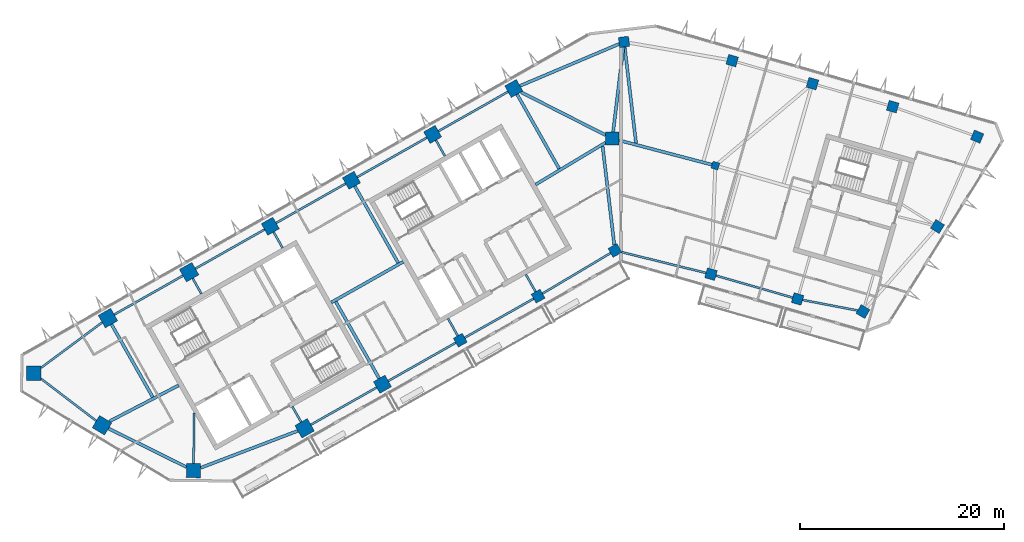
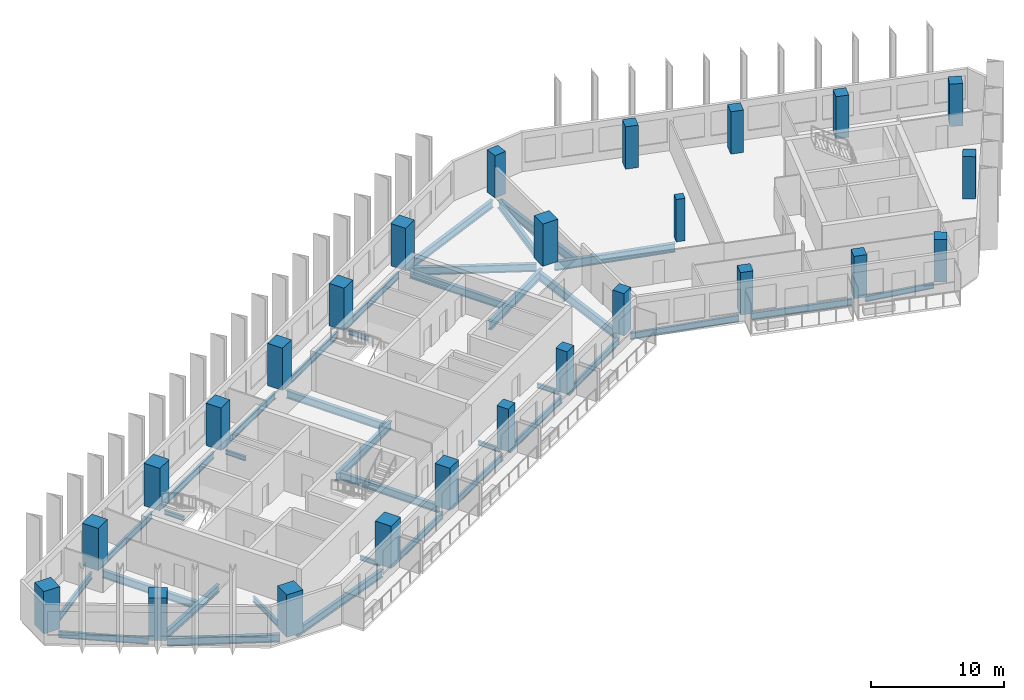
# One storey, part 1 of 12: 36 beams, 25 columns.
"""IFC4 building model written with IfcOpenShell, lengths in metres."""

import ifcopenshell
import ifcopenshell.guid

model = None  # the IFC model being written
_history = None  # IfcOwnerHistory: only IFC2X3 demands one
_inside = {}  # id of a spatial element -> (the spatial element, [elements in it])
_under = {}  # id of a project, library or spatial element -> (it, [spatial elements below it])
_declared = {}  # id of a project -> (the project, [libraries it declares])
_typed = {}  # id of a type object -> (the type object, [elements of that type])
_made_of = {}  # id of a material, layer set ... -> (it, [elements and type objects made of it])


def new_model(schema):
    """Start an empty IFC model of exactly this schema.

    Asked for "IFC4X3", IfcOpenShell would pick the latest addendum, in which some entities
    have other attributes; the version numbers below select the first issue.
    IFC2X3 requires an IfcOwnerHistory on every rooted entity: one is made here for all.
    """
    global model, _history
    if schema == "IFC4X3":
        model = ifcopenshell.file(schema_version=(4, 3, 0, 0))
    else:
        model = ifcopenshell.file(schema=schema)
    _inside.clear()
    _under.clear()
    _declared.clear()
    _typed.clear()
    _made_of.clear()
    _history = None
    if model.schema == "IFC2X3":
        org = make("IfcOrganization", Name="unknown")
        user = make(
            "IfcPersonAndOrganization",
            ThePerson=make("IfcPerson", FamilyName="unknown"),
            TheOrganization=org,
        )
        app = make(
            "IfcApplication",
            ApplicationDeveloper=org,
            Version="unknown",
            ApplicationFullName="unknown",
            ApplicationIdentifier="unknown",
        )
        _history = make(
            "IfcOwnerHistory",
            OwningUser=user,
            OwningApplication=app,
            ChangeAction="ADDED",
            CreationDate=0,
        )
    return model


def make(cls, **values):
    """One entity of the class cls with the attributes given. An attribute that is None is left unset."""
    return model.create_entity(
        cls, **{name: value for name, value in values.items() if value is not None}
    )


def rooted(cls, **values):
    """An entity with a GlobalId (a new one), such as an element, a storey or a relation."""
    return make(cls, GlobalId=ifcopenshell.guid.new(), OwnerHistory=_history, **values)


def si_unit(unit_type, name, prefix=None):
    """IfcSIUnit, for example si_unit("LENGTHUNIT", "METRE", prefix="MILLI")."""
    return make("IfcSIUnit", UnitType=unit_type, Prefix=prefix, Name=name)


def assignment(units):
    """IfcUnitAssignment: the units of a project."""
    return None if units is None else make("IfcUnitAssignment", Units=units)


def point(xyz):
    """IfcCartesianPoint."""
    return None if xyz is None else make("IfcCartesianPoint", Coordinates=xyz)


def direction(xyz):
    """IfcDirection."""
    return None if xyz is None else make("IfcDirection", DirectionRatios=xyz)


def frame(location, z_axis=None, x_axis=None):
    """IfcAxis2Placement3D, a coordinate frame: its origin and axes. An axis left out is left unset."""
    return make(
        "IfcAxis2Placement3D",
        Location=point(location),
        Axis=direction(z_axis),
        RefDirection=direction(x_axis),
    )


def frame_2d(location, x_axis=None):
    """IfcAxis2Placement2D, a coordinate frame in the plane: its origin and x axis."""
    return make(
        "IfcAxis2Placement2D", Location=point(location), RefDirection=direction(x_axis)
    )


def origin():
    """The frame at (0, 0, 0) with its axes left unset."""
    return frame((0.0, 0.0, 0.0))


def origin_2d():
    """The frame at (0, 0) in the plane with its x axis left unset."""
    return frame_2d((0.0, 0.0))


def place(relative_to, where):
    """IfcLocalPlacement: puts the frame where relative to a parent placement (None: the world)."""
    return make(
        "IfcLocalPlacement", PlacementRelTo=relative_to, RelativePlacement=where
    )


def context(
    kind, dimensions, precision=None, world=None, true_north=None, identifier=None
):
    """IfcGeometricRepresentationContext, for example the 3D "Model" context."""
    return make(
        "IfcGeometricRepresentationContext",
        ContextIdentifier=identifier,
        ContextType=kind,
        CoordinateSpaceDimension=dimensions,
        Precision=precision,
        WorldCoordinateSystem=world,
        TrueNorth=true_north,
    )


def subcontext(parent, identifier, kind, view, scale=None):
    """IfcGeometricRepresentationSubContext, for example "Body" below "Model"."""
    return make(
        "IfcGeometricRepresentationSubContext",
        ContextIdentifier=identifier,
        ContextType=kind,
        ParentContext=parent,
        TargetScale=scale,
        TargetView=view,
    )


def project(units=None, contexts=None):
    """IfcProject with its units and contexts."""
    return rooted(
        "IfcProject",
        Name="project",
        RepresentationContexts=contexts,
        UnitsInContext=assignment(units),
    )


def spatial(cls, under=None, at=None, **own):
    """A site, building, storey or space (cls), placed at a placement, below another one or the project."""
    s = rooted(cls, ObjectPlacement=at, **own)
    if under is not None:
        _under.setdefault(under.id(), (under, []))[1].append(s)
    return s


def profile(cls, at=None, kind="AREA", **sizes):
    """A parametric profile (cls). Its sizes go by their IFC names, for example OverallWidth=200.0."""
    return make(cls, ProfileType=kind, Position=at, **sizes)


def rectangle(**sizes):
    """IfcRectangleProfileDef."""
    return profile("IfcRectangleProfileDef", **sizes)


def i_section(**sizes):
    """IfcIShapeProfileDef."""
    return profile("IfcIShapeProfileDef", **sizes)


def extrude(swept, where, along, depth):
    """IfcExtrudedAreaSolid: the profile swept, set in the frame where, extruded along a direction by depth."""
    return make(
        "IfcExtrudedAreaSolid",
        SweptArea=swept,
        Position=where,
        ExtrudedDirection=direction(along),
        Depth=depth,
    )


def shape(context_of_items, identifier, shape_type, items):
    """IfcShapeRepresentation: the items that make up one representation, for example the "Body"."""
    return make(
        "IfcShapeRepresentation",
        ContextOfItems=context_of_items,
        RepresentationIdentifier=identifier,
        RepresentationType=shape_type,
        Items=items,
    )


def material(Name=None, Category=None):
    """IfcMaterial."""
    return make("IfcMaterial", Name=Name, Category=Category)


def material_profile(
    of_material, cross_section, Name=None, Category=None, Priority=None
):
    """IfcMaterialProfile: a cross section and its material."""
    return make(
        "IfcMaterialProfile",
        Name=Name,
        Material=of_material,
        Profile=cross_section,
        Priority=Priority,
        Category=Category,
    )


def profile_set(profiles, Name=None, composite=None):
    """IfcMaterialProfileSet."""
    return make(
        "IfcMaterialProfileSet",
        Name=Name,
        MaterialProfiles=profiles,
        CompositeProfile=composite,
    )


def made_of(thing, what):
    """Note that an element or type object is made of a material, layer set ...; save() writes the relation."""
    if what is not None:
        _made_of.setdefault(what.id(), (what, []))[1].append(thing)
    return thing


def type_object(cls, material=None, **own):
    """A type object (cls), such as IfcWallType, which elements share."""
    return made_of(rooted(cls, **own), material)


def element(
    cls,
    number,
    at=None,
    inside=None,
    cuts=None,
    type_object=None,
    material=None,
    context=None,
    identifier="Body",
    shape_type=None,
    held_by="IfcProductDefinitionShape",
    body=None,
    shapes=None,
    **own,
):
    """One element of the class cls, such as IfcWall. Its Tag is "e" and its number.

    at: its placement. inside: the storey or other place that contains it. cuts: it is an
    opening in that element (IfcRelVoidsElement). A single representation is given by context,
    identifier, shape_type and body (its items); several are given by shapes. held_by: the class
    of the entity that holds the representations. save() writes the other relations.
    """
    e = rooted(cls, Tag="e%d" % number, ObjectPlacement=at, **own)
    if body is not None:
        shapes = [shape(context, identifier, shape_type, body)]
    if shapes is not None:
        e.Representation = make(held_by, Representations=shapes)
    if inside is not None:
        _inside.setdefault(inside.id(), (inside, []))[1].append(e)
    if cuts is not None:
        rooted(
            "IfcRelVoidsElement", RelatingBuildingElement=cuts, RelatedOpeningElement=e
        )
    if type_object is not None:
        _typed.setdefault(type_object.id(), (type_object, []))[1].append(e)
    return made_of(e, material)


def aggregate(whole, parts):
    """IfcRelAggregates: a whole, such as a stair, and the parts it consists of."""
    return rooted("IfcRelAggregates", RelatingObject=whole, RelatedObjects=parts)


def save(model, path):
    """Write the relations noted so far, then the file.

    IfcRelAggregates (storeys below a building ...), IfcRelContainedInSpatialStructure (elements
    in a storey), IfcRelDefinesByType, IfcRelAssociatesMaterial and IfcRelDeclares: one each for
    every whole, place, type object, material and project.
    """
    for whole, parts in _under.values():
        aggregate(whole, parts)
    for where, things in _inside.values():
        rooted(
            "IfcRelContainedInSpatialStructure",
            RelatedElements=things,
            RelatingStructure=where,
        )
    for kind, things in _typed.values():
        rooted("IfcRelDefinesByType", RelatedObjects=things, RelatingType=kind)
    for what, things in _made_of.values():
        rooted("IfcRelAssociatesMaterial", RelatedObjects=things, RelatingMaterial=what)
    for by, libraries in _declared.values():
        rooted("IfcRelDeclares", RelatingContext=by, RelatedDefinitions=libraries)
    model.write(path)


model = new_model("IFC4")

# Units and contexts
model_context = context("Model", 3, precision=1e-05, world=origin(), true_north=direction((0.0, 1.0)))
body_context = subcontext(model_context, "Body", "Model", "MODEL_VIEW")
ifc_project = project(units=[si_unit("LENGTHUNIT", "METRE"), si_unit("AREAUNIT", "SQUARE_METRE"), si_unit("VOLUMEUNIT", "CUBIC_METRE"), si_unit("PLANEANGLEUNIT", "RADIAN"), si_unit("MASSUNIT", "GRAM", prefix="KILO")], contexts=[model_context])

# Site, building, storey
site_placement = place(None, origin())
site = spatial("IfcSite", under=ifc_project, at=site_placement, CompositionType="ELEMENT")
building_placement = place(site_placement, origin())
building = spatial("IfcBuilding", under=site, at=building_placement, Name="Binnacle Exchange Tower", CompositionType="ELEMENT")
storey_placement = place(building_placement, frame((0.0, 0.0, 246.5)))
storey = spatial("IfcBuildingStorey", under=building, at=storey_placement, Name="L54", CompositionType="ELEMENT", Elevation=246.5)

# Columns
ifc_material_1 = material(Name="Concrete C60/75", Category="concrete")
ifc_material_profile_1 = material_profile(ifc_material_1, rectangle(XDim=0.699951171875, YDim=0.699951171875, at=origin_2d()), Name="Column 700x700 C60/75")
ifc_profile_set_1 = profile_set([ifc_material_profile_1], Name="Concrete C60/75")
column_type_1 = type_object("IfcColumnType", Name="Column 700x700 C60/75", PredefinedType="COLUMN", material=ifc_profile_set_1)
column_placement = place(storey_placement, frame((9.240966796875, 57.35009765625, 0.0), z_axis=(0.0, 0.0, 1.0), x_axis=(0.961261695938, -0.275637355817, 0.0)))
element("IfcColumn", 1, at=column_placement, inside=storey, type_object=column_type_1, Name="S:COL:C19:L54", PredefinedType="COLUMN", context=body_context, shape_type="SweptSolid", body=[
    extrude(rectangle(XDim=0.699951171875, YDim=0.699951171875, at=origin_2d()), origin(), (0.0, 0.0, 1.0), 3.89990234375),
])
ifc_material_profile_2 = material_profile(ifc_material_1, rectangle(XDim=1.0, YDim=1.0, at=origin_2d()), Name="Mega column 1000x1000 C60/75")
ifc_profile_set_2 = profile_set([ifc_material_profile_2], Name="Concrete C60/75")
column_type_2 = type_object("IfcColumnType", Name="Mega column 1000x1000 C60/75", PredefinedType="COLUMN", material=ifc_profile_set_2)
for number, where, z_axis, x_axis, name in (
    (2, (26.602783203125, 63.12353515625, 0.0), (0.0, 0.0, 1.0), (-0.961261695938, 0.275637355817, 0.0), "S:COL:MC52:L54"),
    (3, (18.746337890625, 65.376220703125, 0.0), (0.0, 0.0, 1.0), (-0.961261695938, 0.275637355817, 0.0), "S:COL:MC50:L54"),
    (4, (10.889892578125, 67.62890625, 0.0), (0.0, 0.0, 1.0), (-0.961261695938, 0.275637355817, 0.0), "S:COL:MC48:L54"),
    (5, (0.300048828125, 69.464111328125, 0.0), (0.0, 0.0, 1.0), (-0.993068456955, -0.117537397458, 0.0), "S:COL:MC47:L54"),
    (6, (-15.736328125, 40.257080078125, 0.0), (0.0, 0.0, 1.0), (0.87035569594, 0.492423560103, 0.0), "S:COL:MC24:L54"),
    (7, (-8.116943359375, 44.568115234375, 0.0), (0.0, 0.0, 1.0), (0.87035569594, 0.492423560103, 0.0), "S:COL:MC35:L54"),
    (8, (-0.5908203125, 49.04443359375, 0.0), (0.0, 0.0, 1.0), (0.87035569594, 0.492423560103, 0.0), "S:COL:MC46:L54"),
    (9, (8.8095703125, 46.722412109375, 0.0), (0.0, 0.0, 1.0), (0.961261695938, -0.275637355817, 0.0), "S:COL:MC49:L54"),
    (10, (17.2880859375, 44.291015625, 0.0), (0.0, 0.0, 1.0), (0.961261695938, -0.275637355817, 0.0), "S:COL:MC51:L54"),
    (11, (23.690185546875, 43.062744140625, 0.0), (0.0, 0.0, 1.0), (-0.86532642813, 0.501208711795, 0.0), "S:COL:MC53:L54"),
    (12, (30.989501953125, 51.38623046875, 0.0), (0.0, 0.0, 1.0), (0.529919264233, 0.848048096156, 0.0), "S:COL:MC55:L54"),
    (13, (34.870361328125, 60.18701171875, 0.0), (0.0, 0.0, 1.0), (-0.922814001807, 0.385245789164, 0.0), "S:COL:MC54:L54"),
):
    element("IfcColumn", number, at=place(storey_placement, frame(where, z_axis=z_axis, x_axis=x_axis)), inside=storey, type_object=column_type_2, Name=name, PredefinedType="COLUMN", context=body_context, shape_type="SweptSolid", body=[
        extrude(rectangle(XDim=1.0, YDim=1.0, at=origin_2d()), origin(), (0.0, 0.0, 1.0), 3.89990234375),
    ])
ifc_material_profile_3 = material_profile(ifc_material_1, rectangle(XDim=1.300048828125, YDim=1.300048828125, at=origin_2d()), Name="Mega column 1300x1300 C60/75")
ifc_profile_set_3 = profile_set([ifc_material_profile_3], Name="Concrete C60/75")
column_type_3 = type_object("IfcColumnType", Name="Mega column 1300x1300 C60/75", PredefinedType="COLUMN", material=ifc_profile_set_3)
for number, where, z_axis, x_axis, name in (
    (14, (-10.4951171875, 64.901611328125, 0.0), (0.0, 0.0, 1.0), (-0.87035569594, -0.492423560103, 0.0), "S:COL:MC38:L54"),
    (15, (-18.44140625, 60.406005859375, 0.0), (0.0, 0.0, 1.0), (-0.87035569594, -0.492423560103, 0.0), "S:COL:MC29:L54"),
    (16, (-26.3876953125, 55.91015625, 0.0), (0.0, 0.0, 1.0), (-0.87035569594, -0.492423560103, 0.0), "S:COL:MC21:L54"),
    (17, (-34.333740234375, 51.414306640625, 0.0), (0.0, 0.0, 1.0), (-0.87035569594, -0.492423560103, 0.0), "S:COL:MC13:L54"),
    (18, (-23.35595703125, 35.9462890625, 0.0), (0.0, 0.0, 1.0), (0.87035569594, 0.492423560103, 0.0), "S:COL:MC16:L54"),
    (19, (-0.85009765625, 60.0, 0.0), (0.0, 0.0, 1.0), (0.0, 1.0, 0.0), "S:COL:MC45:L54"),
):
    element("IfcColumn", number, at=place(storey_placement, frame(where, z_axis=z_axis, x_axis=x_axis)), inside=storey, type_object=column_type_3, Name=name, PredefinedType="COLUMN", context=body_context, shape_type="SweptSolid", body=[
        extrude(rectangle(XDim=1.300048828125, YDim=1.300048828125, at=origin_2d()), origin(), (0.0, 0.0, 1.0), 3.89990234375),
    ])
ifc_material_profile_4 = material_profile(ifc_material_1, rectangle(XDim=1.39990234375, YDim=1.39990234375, at=origin_2d()), Name="Mega column 1400x1400 C60/75")
ifc_profile_set_4 = profile_set([ifc_material_profile_4], Name="Concrete C60/75")
column_type_4 = type_object("IfcColumnType", Name="Mega column 1400x1400 C60/75", PredefinedType="COLUMN", material=ifc_profile_set_4)
for number, where, z_axis, x_axis, name in (
    (20, (-42.280029296875, 46.918701171875, 0.0), (0.0, 0.0, 1.0), (-0.87035569594, -0.492423560103, 0.0), "S:COL:MC08:L54"),
    (21, (-50.226318359375, 42.4228515625, 0.0), (0.0, 0.0, 1.0), (-0.87035569594, -0.492423560103, 0.0), "S:COL:MC04:L54"),
    (22, (-57.492919921875, 37.02734375, 0.0), (0.0, 0.0, 1.0), (-0.013089595571, -0.999914327574, 0.0), "S:COL:MC02:L54"),
    (23, (-50.81201171875, 31.930908203125, 0.0), (0.0, 0.0, 1.0), (0.857167300702, -0.51503807491, 0.0), "S:COL:MC01:L54"),
    (24, (-41.857666015625, 27.494873046875, 0.0), (0.0, 0.0, 1.0), (0.999914327574, -0.013089595571, 0.0), "S:COL:MC03:L54"),
    (25, (-30.9755859375, 31.63525390625, 0.0), (0.0, 0.0, 1.0), (0.87035569594, 0.492423560103, 0.0), "S:COL:MC07:L54"),
):
    element("IfcColumn", number, at=place(storey_placement, frame(where, z_axis=z_axis, x_axis=x_axis)), inside=storey, type_object=column_type_4, Name=name, PredefinedType="COLUMN", context=body_context, shape_type="SweptSolid", body=[
        extrude(rectangle(XDim=1.39990234375, YDim=1.39990234375, at=origin_2d()), origin(), (0.0, 0.0, 1.0), 3.89990234375),
    ])

# Beams
ifc_material_2 = material(Name="Steel S355 (SHN355)", Category="steel")
ifc_material_profile_5 = material_profile(ifc_material_2, i_section(OverallWidth=0.199951171875, OverallDepth=0.5, WebThickness=0.010009765625, FlangeThickness=0.01611328125, FilletRadius=0.02001953125, at=origin_2d()), Name="H 500x200x10x16")
ifc_profile_set_5 = profile_set([ifc_material_profile_5], Name="Steel S355 (SHN355)")
beam_type_1 = type_object("IfcBeamType", Name="Edge girder H 500x200x10x16 Steel S355 (SHN355)", PredefinedType="SPANDREL", material=ifc_profile_set_5)
beam_1_placement = place(storey_placement, frame((17.78125, 44.196533203125, -0.530029296875), z_axis=(0.98208728148, -0.188426568073, 0.0), x_axis=(0.188426568073, 0.98208728148, 0.0)))
element("IfcBeam", 26, at=beam_1_placement, inside=storey, type_object=beam_type_1, Name="S:BM:edge:L54:028", PredefinedType="SPANDREL", context=body_context, shape_type="SweptSolid", body=[
    extrude(i_section(OverallWidth=0.199951171875, OverallDepth=0.5, WebThickness=0.010009765625, FlangeThickness=0.01611328125, FilletRadius=0.02001953125, at=origin_2d()), origin(), (0.0, 0.0, 1.0), 5.4873046875),
])
ifc_material_profile_6 = material_profile(ifc_material_2, i_section(OverallWidth=0.199951171875, OverallDepth=0.60009765625, WebThickness=0.010986328125, FlangeThickness=0.01708984375, FilletRadius=0.02197265625, at=origin_2d()), Name="H 600x200x11x17")
ifc_profile_set_6 = profile_set([ifc_material_profile_6], Name="Steel S355 (SHN355)")
beam_type_2 = type_object("IfcBeamType", Name="Edge girder H 600x200x11x17 Steel S355 (SHN355)", PredefinedType="SPANDREL", material=ifc_profile_set_6)
beam_2_placement = place(storey_placement, frame((-56.7998046875, 36.49853515625, -0.580078125), z_axis=(0.795081038606, -0.606503208606, 0.0), x_axis=(0.606503208606, 0.795081038606, 0.0)))
element("IfcBeam", 27, at=beam_2_placement, inside=storey, type_object=beam_type_2, Name="S:BM:edge:L54:011", PredefinedType="SPANDREL", context=body_context, shape_type="SweptSolid", body=[
    extrude(i_section(OverallWidth=0.199951171875, OverallDepth=0.60009765625, WebThickness=0.010986328125, FlangeThickness=0.01708984375, FilletRadius=0.02197265625, at=origin_2d()), origin(), (0.0, 0.0, 1.0), 6.82666015625),
])
ifc_material_profile_7 = material_profile(ifc_material_2, i_section(OverallWidth=0.200927734375, OverallDepth=0.60595703125, WebThickness=0.011962890625, FlangeThickness=0.02001953125, FilletRadius=0.02197265625, at=origin_2d()), Name="H 606x201x12x20")
ifc_profile_set_7 = profile_set([ifc_material_profile_7], Name="Steel S355 (SHN355)")
beam_type_3 = type_object("IfcBeamType", Name="Edge girder H 606x201x12x20 Steel S355 (SHN355)", PredefinedType="SPANDREL", material=ifc_profile_set_7)
beam_3_placement = place(storey_placement, frame((-50.79248046875, 42.00244140625, -0.5830078125), z_axis=(-0.802886959261, -0.596131303194, 0.0), x_axis=(0.596131303194, -0.802886959261, 0.0)))
element("IfcBeam", 28, at=beam_3_placement, inside=storey, type_object=beam_type_3, Name="S:BM:edge:L54:012", PredefinedType="SPANDREL", context=body_context, shape_type="SweptSolid", body=[
    extrude(i_section(OverallWidth=0.200927734375, OverallDepth=0.60595703125, WebThickness=0.011962890625, FlangeThickness=0.02001953125, FilletRadius=0.02197265625, at=origin_2d()), origin(), (0.0, 0.0, 1.0), 7.465087890625),
])
beam_4_placement = place(storey_placement, frame((-30.3662109375, 31.97998046875, -0.5830078125), z_axis=(0.87035151347, 0.49243095252, 0.0), x_axis=(-0.49243095252, 0.87035151347, 0.0)))
element("IfcBeam", 29, at=beam_4_placement, inside=storey, type_object=beam_type_3, Name="S:BM:edge:L54:017", PredefinedType="SPANDREL", context=body_context, shape_type="SweptSolid", body=[
    extrude(i_section(OverallWidth=0.200927734375, OverallDepth=0.60595703125, WebThickness=0.011962890625, FlangeThickness=0.02001953125, FilletRadius=0.02197265625, at=origin_2d()), origin(), (0.0, 0.0, 1.0), 7.404541015625),
])
beam_5_placement = place(storey_placement, frame((-22.790283203125, 36.266357421875, -0.5830078125), z_axis=(0.870357072119, 0.492421127708, 0.0), x_axis=(-0.492421127708, 0.870357072119, 0.0)))
element("IfcBeam", 30, at=beam_5_placement, inside=storey, type_object=beam_type_3, Name="S:BM:edge:L54:019", PredefinedType="SPANDREL", context=body_context, shape_type="SweptSolid", body=[
    extrude(i_section(OverallWidth=0.200927734375, OverallDepth=0.60595703125, WebThickness=0.011962890625, FlangeThickness=0.02001953125, FilletRadius=0.02197265625, at=origin_2d()), origin(), (0.0, 0.0, 1.0), 7.6044921875),
])
beam_6_placement = place(storey_placement, frame((-15.30126953125, 40.50341796875, -0.5830078125), z_axis=(0.870352841483, 0.492428605304, 0.0), x_axis=(-0.492428605304, 0.870352841483, 0.0)))
element("IfcBeam", 31, at=beam_6_placement, inside=storey, type_object=beam_type_3, Name="S:BM:edge:L54:021", PredefinedType="SPANDREL", context=body_context, shape_type="SweptSolid", body=[
    extrude(i_section(OverallWidth=0.200927734375, OverallDepth=0.60595703125, WebThickness=0.011962890625, FlangeThickness=0.02001953125, FilletRadius=0.02197265625, at=origin_2d()), origin(), (0.0, 0.0, 1.0), 7.754638671875),
])
beam_7_placement = place(storey_placement, frame((-7.68701171875, 44.82373046875, -0.5830078125), z_axis=(0.859458521045, 0.51120548765, 0.0), x_axis=(-0.51120548765, 0.859458521045, 0.0)))
element("IfcBeam", 32, at=beam_7_placement, inside=storey, type_object=beam_type_3, Name="S:BM:edge:L54:023", PredefinedType="SPANDREL", context=body_context, shape_type="SweptSolid", body=[
    extrude(i_section(OverallWidth=0.200927734375, OverallDepth=0.60595703125, WebThickness=0.011962890625, FlangeThickness=0.02001953125, FilletRadius=0.02197265625, at=origin_2d()), origin(), (0.0, 0.0, 1.0), 7.75634765625),
])
beam_8_placement = place(storey_placement, frame((9.2900390625, 46.58447265625, -0.5830078125), z_axis=(0.961265533153, -0.275623973506, 0.0), x_axis=(0.275623973506, 0.961265533153, 0.0)))
element("IfcBeam", 33, at=beam_8_placement, inside=storey, type_object=beam_type_3, Name="S:BM:edge:L54:026", PredefinedType="SPANDREL", context=body_context, shape_type="SweptSolid", body=[
    extrude(i_section(OverallWidth=0.200927734375, OverallDepth=0.60595703125, WebThickness=0.011962890625, FlangeThickness=0.02001953125, FilletRadius=0.02197265625, at=origin_2d()), origin(), (0.0, 0.0, 1.0), 7.820556640625),
])
ifc_material_profile_8 = material_profile(ifc_material_2, i_section(OverallWidth=0.201904296875, OverallDepth=0.612060546875, WebThickness=0.012939453125, FlangeThickness=0.02294921875, FilletRadius=0.02197265625, at=origin_2d()), Name="H 612x202x13x23")
ifc_profile_set_8 = profile_set([ifc_material_profile_8], Name="Steel S355 (SHN355)")
beam_type_4 = type_object("IfcBeamType", Name="Edge girder H 612x202x13x23 Steel S355 (SHN355)", PredefinedType="SPANDREL", material=ifc_profile_set_8)
beam_9_placement = place(storey_placement, frame((-42.88916015625, 46.573974609375, -0.5859375), z_axis=(-0.870355702011, -0.492423549372, 0.0), x_axis=(0.492423549372, -0.870355702011, 0.0)))
element("IfcBeam", 34, at=beam_9_placement, inside=storey, type_object=beam_type_4, Name="S:BM:edge:L54:014", PredefinedType="SPANDREL", context=body_context, shape_type="SweptSolid", body=[
    extrude(i_section(OverallWidth=0.201904296875, OverallDepth=0.612060546875, WebThickness=0.012939453125, FlangeThickness=0.02294921875, FilletRadius=0.02197265625, at=origin_2d()), origin(), (0.0, 0.0, 1.0), 7.72998046875),
])
beam_10_placement = place(storey_placement, frame((-34.8994140625, 51.09423828125, -0.5859375), z_axis=(-0.870365218126, -0.492406729317, 0.0), x_axis=(0.492406729317, -0.870365218126, 0.0)))
element("IfcBeam", 35, at=beam_10_placement, inside=storey, type_object=beam_type_4, Name="S:BM:edge:L54:016", PredefinedType="SPANDREL", context=body_context, shape_type="SweptSolid", body=[
    extrude(i_section(OverallWidth=0.201904296875, OverallDepth=0.612060546875, WebThickness=0.012939453125, FlangeThickness=0.02294921875, FilletRadius=0.02197265625, at=origin_2d()), origin(), (0.0, 0.0, 1.0), 7.77978515625),
])
beam_11_placement = place(storey_placement, frame((-26.953369140625, 55.590087890625, -0.5859375), z_axis=(-0.870361249296, -0.492413744452, 0.0), x_axis=(0.492413744452, -0.870361249296, 0.0)))
element("IfcBeam", 36, at=beam_11_placement, inside=storey, type_object=beam_type_4, Name="S:BM:edge:L54:018", PredefinedType="SPANDREL", context=body_context, shape_type="SweptSolid", body=[
    extrude(i_section(OverallWidth=0.201904296875, OverallDepth=0.612060546875, WebThickness=0.012939453125, FlangeThickness=0.02294921875, FilletRadius=0.02197265625, at=origin_2d()), origin(), (0.0, 0.0, 1.0), 7.829833984375),
])
beam_12_placement = place(storey_placement, frame((-19.007080078125, 60.0859375, -0.5859375), z_axis=(-0.870355446453, -0.492424001069, 0.0), x_axis=(0.492424001069, -0.870355446453, 0.0)))
element("IfcBeam", 37, at=beam_12_placement, inside=storey, type_object=beam_type_4, Name="S:BM:edge:L54:020", PredefinedType="SPANDREL", context=body_context, shape_type="SweptSolid", body=[
    extrude(i_section(OverallWidth=0.201904296875, OverallDepth=0.612060546875, WebThickness=0.012939453125, FlangeThickness=0.02294921875, FilletRadius=0.02197265625, at=origin_2d()), origin(), (0.0, 0.0, 1.0), 7.830078125),
])
beam_13_placement = place(storey_placement, frame((-11.060791015625, 64.58154296875, -0.5859375), z_axis=(-0.870361249296, -0.492413744452, 0.0), x_axis=(0.492413744452, -0.870361249296, 0.0)))
element("IfcBeam", 38, at=beam_13_placement, inside=storey, type_object=beam_type_4, Name="S:BM:edge:L54:022", PredefinedType="SPANDREL", context=body_context, shape_type="SweptSolid", body=[
    extrude(i_section(OverallWidth=0.201904296875, OverallDepth=0.612060546875, WebThickness=0.012939453125, FlangeThickness=0.02294921875, FilletRadius=0.02197265625, at=origin_2d()), origin(), (0.0, 0.0, 1.0), 7.829833984375),
])
beam_14_placement = place(storey_placement, frame((0.076904296875, 48.87939453125, -0.5859375), z_axis=(0.970819987475, -0.239809407487, 0.0), x_axis=(0.239809407487, 0.970819987475, 0.0)))
element("IfcBeam", 39, at=beam_14_placement, inside=storey, type_object=beam_type_4, Name="S:BM:edge:L54:025", PredefinedType="SPANDREL", context=body_context, shape_type="SweptSolid", body=[
    extrude(i_section(OverallWidth=0.201904296875, OverallDepth=0.612060546875, WebThickness=0.012939453125, FlangeThickness=0.02294921875, FilletRadius=0.02197265625, at=origin_2d()), origin(), (0.0, 0.0, 1.0), 8.49462890625),
])
ifc_material_profile_9 = material_profile(ifc_material_2, i_section(OverallWidth=0.300048828125, OverallDepth=0.699951171875, WebThickness=0.012939453125, FlangeThickness=0.02392578125, FilletRadius=0.028076171875, at=origin_2d()), Name="H 700x300x13x24")
ifc_profile_set_9 = profile_set([ifc_material_profile_9], Name="Steel S355 (SHN355)")
beam_type_5 = type_object("IfcBeamType", Name="Edge girder H 700x300x13x24 Steel S355 (SHN355)", PredefinedType="SPANDREL", material=ifc_profile_set_9)
beam_15_placement = place(storey_placement, frame((-50.1826171875, 31.619140625, -0.6298828125), z_axis=(0.896061326398, -0.443930286569, 0.0), x_axis=(0.443930286569, 0.896061326398, 0.0)))
element("IfcBeam", 40, at=beam_15_placement, inside=storey, type_object=beam_type_5, Name="S:BM:edge:L54:013", PredefinedType="SPANDREL", context=body_context, shape_type="SweptSolid", body=[
    extrude(i_section(OverallWidth=0.300048828125, OverallDepth=0.699951171875, WebThickness=0.012939453125, FlangeThickness=0.02392578125, FilletRadius=0.028076171875, at=origin_2d()), origin(), (0.0, 0.0, 1.0), 8.514404296875),
])
beam_16_placement = place(storey_placement, frame((-41.154052734375, 27.762451171875, -0.6298828125), z_axis=(0.934627442278, 0.355628379268, 0.0), x_axis=(-0.355628379268, 0.934627442278, 0.0)))
element("IfcBeam", 41, at=beam_16_placement, inside=storey, type_object=beam_type_5, Name="S:BM:edge:L54:015", PredefinedType="SPANDREL", context=body_context, shape_type="SweptSolid", body=[
    extrude(i_section(OverallWidth=0.300048828125, OverallDepth=0.699951171875, WebThickness=0.012939453125, FlangeThickness=0.02392578125, FilletRadius=0.028076171875, at=origin_2d()), origin(), (0.0, 0.0, 1.0), 10.18212890625),
])
beam_17_placement = place(storey_placement, frame((-0.179443359375, 69.261474609375, -0.6298828125), z_axis=(-0.921114178723, -0.389292524659, 0.0), x_axis=(0.389292524659, -0.921114178723, 0.0)))
element("IfcBeam", 42, at=beam_17_placement, inside=storey, type_object=beam_type_5, Name="S:BM:edge:L54:024", PredefinedType="SPANDREL", context=body_context, shape_type="SweptSolid", body=[
    extrude(i_section(OverallWidth=0.300048828125, OverallDepth=0.699951171875, WebThickness=0.012939453125, FlangeThickness=0.02392578125, FilletRadius=0.028076171875, at=origin_2d()), origin(), (0.0, 0.0, 1.0), 10.544677734375),
])
ifc_material_profile_10 = material_profile(ifc_material_2, i_section(OverallWidth=0.199951171875, OverallDepth=0.39990234375, WebThickness=0.008056640625, FlangeThickness=0.012939453125, FilletRadius=0.01611328125, at=origin_2d()), Name="H 400x200x8x13")
ifc_profile_set_10 = profile_set([ifc_material_profile_10], Name="Steel S355 (SHN355)")
beam_type_6 = type_object("IfcBeamType", Name="Floor beam H 400x200x8x13 Steel S355 (SHN355)", PredefinedType="BEAM", material=ifc_profile_set_10)
beam_18_placement = place(storey_placement, frame((-41.935302734375, 46.3095703125, -0.47998046875), z_axis=(0.492405102951, -0.870366138236, 0.0), x_axis=(0.870366138236, 0.492405102951, 0.0)))
element("IfcBeam", 43, at=beam_18_placement, inside=storey, type_object=beam_type_6, Name="S:BM:cross:L54:035", PredefinedType="BEAM", context=body_context, shape_type="SweptSolid", body=[
    extrude(i_section(OverallWidth=0.199951171875, OverallDepth=0.39990234375, WebThickness=0.008056640625, FlangeThickness=0.012939453125, FilletRadius=0.01611328125, at=origin_2d()), origin(), (0.0, 0.0, 1.0), 1.734375),
])
beam_19_placement = place(storey_placement, frame((-34.013671875, 50.8486328125, -0.47998046875), z_axis=(0.492435931281, -0.870348696548, 0.0), x_axis=(0.870348696548, 0.492435931281, 0.0)))
element("IfcBeam", 44, at=beam_19_placement, inside=storey, type_object=beam_type_6, Name="S:BM:cross:L54:037", PredefinedType="BEAM", context=body_context, shape_type="SweptSolid", body=[
    extrude(i_section(OverallWidth=0.199951171875, OverallDepth=0.39990234375, WebThickness=0.008056640625, FlangeThickness=0.012939453125, FilletRadius=0.01611328125, at=origin_2d()), origin(), (0.0, 0.0, 1.0), 1.784423828125),
])
beam_20_placement = place(storey_placement, frame((-31.3203125, 32.244384765625, -0.47998046875), z_axis=(-0.492405102951, 0.870366138236, 0.0), x_axis=(-0.870366138236, -0.492405102951, 0.0)))
element("IfcBeam", 45, at=beam_20_placement, inside=storey, type_object=beam_type_6, Name="S:BM:cross:L54:038", PredefinedType="BEAM", context=body_context, shape_type="SweptSolid", body=[
    extrude(i_section(OverallWidth=0.199951171875, OverallDepth=0.39990234375, WebThickness=0.008056640625, FlangeThickness=0.012939453125, FilletRadius=0.01611328125, at=origin_2d()), origin(), (0.0, 0.0, 1.0), 1.734375),
])
beam_21_placement = place(storey_placement, frame((-18.12109375, 59.84033203125, -0.47998046875), z_axis=(0.49233227435, -0.870407336615, 0.0), x_axis=(0.870407336615, 0.49233227435, 0.0)))
element("IfcBeam", 46, at=beam_21_placement, inside=storey, type_object=beam_type_6, Name="S:BM:cross:L54:041", PredefinedType="BEAM", context=body_context, shape_type="SweptSolid", body=[
    extrude(i_section(OverallWidth=0.199951171875, OverallDepth=0.39990234375, WebThickness=0.008056640625, FlangeThickness=0.012939453125, FilletRadius=0.01611328125, at=origin_2d()), origin(), (0.0, 0.0, 1.0), 1.7841796875),
])
for number, where, z_axis, x_axis, name in (
    (47, (-15.982666015625, 40.6923828125, -0.47998046875), (-0.492369148916, 0.870386478063, 0.0), (-0.870386478063, -0.492369148916, 0.0), "S:BM:cross:L54:042"),
    (48, (-8.363037109375, 45.00341796875, -0.47998046875), (-0.492518856771, 0.870301772792, 0.0), (-0.870301772792, -0.492518856771, 0.0), "S:BM:cross:L54:044"),
):
    element("IfcBeam", number, at=place(storey_placement, frame(where, z_axis=z_axis, x_axis=x_axis)), inside=storey, type_object=beam_type_6, Name=name, PredefinedType="BEAM", context=body_context, shape_type="SweptSolid", body=[
        extrude(i_section(OverallWidth=0.199951171875, OverallDepth=0.39990234375, WebThickness=0.008056640625, FlangeThickness=0.012939453125, FilletRadius=0.01611328125, at=origin_2d()), origin(), (0.0, 0.0, 1.0), 1.934326171875),
    ])
ifc_material_profile_11 = material_profile(ifc_material_2, i_section(OverallWidth=0.200927734375, OverallDepth=0.506103515625, WebThickness=0.010986328125, FlangeThickness=0.01904296875, FilletRadius=0.02001953125, at=origin_2d()), Name="H 506x201x11x19")
ifc_profile_set_11 = profile_set([ifc_material_profile_11], Name="Steel S355 (SHN355)")
beam_type_7 = type_object("IfcBeamType", Name="Floor beam H 506x201x11x19 Steel S355 (SHN355)", PredefinedType="BEAM", material=ifc_profile_set_11)
beam_22_placement = place(storey_placement, frame((-41.848388671875, 28.194580078125, -0.532958984375), z_axis=(0.013067878487, 0.99991461163, 0.0), x_axis=(-0.99991461163, 0.013067878487, 0.0)))
element("IfcBeam", 49, at=beam_22_placement, inside=storey, type_object=beam_type_7, Name="S:BM:cross:L54:036", PredefinedType="BEAM", context=body_context, shape_type="SweptSolid", body=[
    extrude(i_section(OverallWidth=0.200927734375, OverallDepth=0.506103515625, WebThickness=0.010986328125, FlangeThickness=0.01904296875, FilletRadius=0.02001953125, at=origin_2d()), origin(), (0.0, 0.0, 1.0), 4.950927734375),
])
ifc_material_profile_12 = material_profile(ifc_material_2, i_section(OverallWidth=0.300048828125, OverallDepth=0.699951171875, WebThickness=0.012939453125, FlangeThickness=0.02392578125, FilletRadius=0.028076171875, at=origin_2d()), Name="H 700x300x13x24")
ifc_profile_set_12 = profile_set([ifc_material_profile_12], Name="Steel S355 (SHN355)")
beam_type_8 = type_object("IfcBeamType", Name="Floor beam H 700x300x13x24 Steel S355 (SHN355)", PredefinedType="BEAM", material=ifc_profile_set_12)
beam_23_placement = place(storey_placement, frame((-49.881591796875, 41.813720703125, -0.6298828125), z_axis=(0.492430408551, -0.870351821239, 0.0), x_axis=(0.870351821239, 0.492430408551, 0.0)))
element("IfcBeam", 50, at=beam_23_placement, inside=storey, type_object=beam_type_8, Name="S:BM:cross:L54:034", PredefinedType="BEAM", context=body_context, shape_type="SweptSolid", body=[
    extrude(i_section(OverallWidth=0.300048828125, OverallDepth=0.699951171875, WebThickness=0.012939453125, FlangeThickness=0.02392578125, FilletRadius=0.028076171875, at=origin_2d()), origin(), (0.0, 0.0, 1.0), 8.19140625),
])
beam_24_placement = place(storey_placement, frame((-10.175048828125, 64.3359375, -0.6298828125), z_axis=(0.492424391334, -0.870355225652, 0.0), x_axis=(0.870355225652, 0.492424391334, 0.0)))
element("IfcBeam", 51, at=beam_24_placement, inside=storey, type_object=beam_type_8, Name="S:BM:cross:L54:043", PredefinedType="BEAM", context=body_context, shape_type="SweptSolid", body=[
    extrude(i_section(OverallWidth=0.300048828125, OverallDepth=0.699951171875, WebThickness=0.012939453125, FlangeThickness=0.02392578125, FilletRadius=0.028076171875, at=origin_2d()), origin(), (0.0, 0.0, 1.0), 8.369384765625),
])
ifc_material_profile_13 = material_profile(ifc_material_2, i_section(OverallWidth=0.302001953125, OverallDepth=0.7080078125, WebThickness=0.014892578125, FlangeThickness=0.028076171875, FilletRadius=0.028076171875, at=origin_2d()), Name="H 708x302x15x28")
ifc_profile_set_13 = profile_set([ifc_material_profile_13], Name="Steel S355 (SHN355)")
beam_type_9 = type_object("IfcBeamType", Name="Floor beam H 708x302x15x28 Steel S355 (SHN355)", PredefinedType="BEAM", material=ifc_profile_set_13)
beam_25_placement = place(storey_placement, frame((-26.0673828125, 55.344482421875, -0.634033203125), z_axis=(0.492401028839, -0.870368443131, 0.0), x_axis=(0.870368443131, 0.492401028839, 0.0)))
element("IfcBeam", 52, at=beam_25_placement, inside=storey, type_object=beam_type_9, Name="S:BM:cross:L54:039", PredefinedType="BEAM", context=body_context, shape_type="SweptSolid", body=[
    extrude(i_section(OverallWidth=0.302001953125, OverallDepth=0.7080078125, WebThickness=0.014892578125, FlangeThickness=0.028076171875, FilletRadius=0.028076171875, at=origin_2d()), origin(), (0.0, 0.0, 1.0), 8.634033203125),
])
beam_26_placement = place(storey_placement, frame((-23.676025390625, 36.511962890625, -0.634033203125), z_axis=(-0.492422448747, 0.870356324714, 0.0), x_axis=(-0.870356324714, -0.492422448747, 0.0)))
element("IfcBeam", 53, at=beam_26_placement, inside=storey, type_object=beam_type_9, Name="S:BM:cross:L54:040", PredefinedType="BEAM", context=body_context, shape_type="SweptSolid", body=[
    extrude(i_section(OverallWidth=0.302001953125, OverallDepth=0.7080078125, WebThickness=0.014892578125, FlangeThickness=0.028076171875, FilletRadius=0.028076171875, at=origin_2d()), origin(), (0.0, 0.0, 1.0), 8.63427734375),
])
ifc_material_profile_14 = material_profile(ifc_material_2, i_section(OverallWidth=0.300048828125, OverallDepth=0.800048828125, WebThickness=0.013916015625, FlangeThickness=0.02587890625, FilletRadius=0.028076171875, at=origin_2d()), Name="H 800x300x14x26")
ifc_profile_set_14 = profile_set([ifc_material_profile_14], Name="Steel S355 (SHN355)")
beam_type_10 = type_object("IfcBeamType", Name="Floor beam H 800x300x14x26 Steel S355 (SHN355)", PredefinedType="BEAM", material=ifc_profile_set_14)
beam_27_placement = place(storey_placement, frame((-0.654541015625, 49.5830078125, -0.679931640625), z_axis=(-0.117538284625, 0.993068351951, 0.0), x_axis=(-0.993068351951, -0.117538284625, 0.0)))
element("IfcBeam", 54, at=beam_27_placement, inside=storey, type_object=beam_type_10, Name="S:BM:cross:L54:045", PredefinedType="BEAM", context=body_context, shape_type="SweptSolid", body=[
    extrude(i_section(OverallWidth=0.300048828125, OverallDepth=0.800048828125, WebThickness=0.013916015625, FlangeThickness=0.02587890625, FilletRadius=0.028076171875, at=origin_2d()), origin(), (0.0, 0.0, 1.0), 9.754150390625),
])
beam_28_placement = place(storey_placement, frame((0.35888671875, 68.9677734375, -0.679931640625), z_axis=(0.117547988923, -0.993067203315, 0.0), x_axis=(0.993067203315, 0.117547988923, 0.0)))
element("IfcBeam", 55, at=beam_28_placement, inside=storey, type_object=beam_type_10, Name="S:BM:cross:L54:046", PredefinedType="BEAM", context=body_context, shape_type="SweptSolid", body=[
    extrude(i_section(OverallWidth=0.300048828125, OverallDepth=0.800048828125, WebThickness=0.013916015625, FlangeThickness=0.02587890625, FilletRadius=0.028076171875, at=origin_2d()), origin(), (0.0, 0.0, 1.0), 9.5),
])
ifc_material_profile_15 = material_profile(ifc_material_2, i_section(OverallWidth=0.300048828125, OverallDepth=0.699951171875, WebThickness=0.012939453125, FlangeThickness=0.02392578125, FilletRadius=0.028076171875, at=origin_2d()), Name="H 700x300x13x24")
ifc_profile_set_15 = profile_set([ifc_material_profile_15], Name="Steel S355 (SHN355)")
beam_type_11 = type_object("IfcBeamType", Name="Spine girder H 700x300x13x24 Steel S355 (SHN355)", PredefinedType="BEAM", material=ifc_profile_set_15)
beam_29_placement = place(storey_placement, frame((-50.083740234375, 32.31005859375, -0.6298828125), z_axis=(0.886975994229, 0.46181553207, 0.0), x_axis=(-0.46181553207, 0.886975994229, 0.0)))
element("IfcBeam", 56, at=beam_29_placement, inside=storey, type_object=beam_type_11, Name="S:BM:spine:L54:001", PredefinedType="BEAM", context=body_context, shape_type="SweptSolid", body=[
    extrude(i_section(OverallWidth=0.300048828125, OverallDepth=0.699951171875, WebThickness=0.012939453125, FlangeThickness=0.02392578125, FilletRadius=0.028076171875, at=origin_2d()), origin(), (0.0, 0.0, 1.0), 7.6396484375),
])
beam_30_placement = place(storey_placement, frame((-1.5, 60.330322265625, -0.6298828125), z_axis=(-0.891481538846, 0.453057022786, 0.0), x_axis=(-0.453057022786, -0.891481538846, 0.0)))
element("IfcBeam", 57, at=beam_30_placement, inside=storey, type_object=beam_type_11, Name="S:BM:spine:L54:004", PredefinedType="BEAM", context=body_context, shape_type="SweptSolid", body=[
    extrude(i_section(OverallWidth=0.300048828125, OverallDepth=0.699951171875, WebThickness=0.012939453125, FlangeThickness=0.02392578125, FilletRadius=0.028076171875, at=origin_2d()), origin(), (0.0, 0.0, 1.0), 9.31005859375),
])
beam_31_placement = place(storey_placement, frame((-0.77099609375, 60.64990234375, -0.6298828125), z_axis=(0.120632086068, 0.992697285083, 0.0), x_axis=(-0.992697285083, 0.120632086068, 0.0)))
element("IfcBeam", 58, at=beam_31_placement, inside=storey, type_object=beam_type_11, Name="S:BM:spine:L54:005", PredefinedType="BEAM", context=body_context, shape_type="SweptSolid", body=[
    extrude(i_section(OverallWidth=0.300048828125, OverallDepth=0.699951171875, WebThickness=0.012939453125, FlangeThickness=0.02392578125, FilletRadius=0.028076171875, at=origin_2d()), origin(), (0.0, 0.0, 1.0), 8.364501953125),
])
ifc_material_profile_16 = material_profile(ifc_material_2, i_section(OverallWidth=0.302001953125, OverallDepth=0.7080078125, WebThickness=0.014892578125, FlangeThickness=0.028076171875, FilletRadius=0.028076171875, at=origin_2d()), Name="H 708x302x15x28")
ifc_profile_set_16 = profile_set([ifc_material_profile_16], Name="Steel S355 (SHN355)")
beam_type_12 = type_object("IfcBeamType", Name="Spine girder H 708x302x15x28 Steel S355 (SHN355)", PredefinedType="BEAM", material=ifc_profile_set_16)
beam_32_placement = place(storey_placement, frame((-28.365478515625, 43.951416015625, -0.634033203125), z_axis=(0.870350319004, 0.492433063684, 0.0), x_axis=(-0.492433063684, 0.870350319004, 0.0)))
element("IfcBeam", 59, at=beam_32_placement, inside=storey, type_object=beam_type_12, Name="S:BM:spine:L54:002", PredefinedType="BEAM", context=body_context, shape_type="SweptSolid", body=[
    extrude(i_section(OverallWidth=0.302001953125, OverallDepth=0.7080078125, WebThickness=0.014892578125, FlangeThickness=0.028076171875, FilletRadius=0.028076171875, at=origin_2d()), origin(), (0.0, 0.0, 1.0), 8.0908203125),
])
ifc_material_profile_17 = material_profile(ifc_material_2, i_section(OverallWidth=0.300048828125, OverallDepth=0.800048828125, WebThickness=0.013916015625, FlangeThickness=0.02587890625, FilletRadius=0.028076171875, at=origin_2d()), Name="H 800x300x14x26")
ifc_profile_set_17 = profile_set([ifc_material_profile_17], Name="Steel S355 (SHN355)")
beam_type_13 = type_object("IfcBeamType", Name="Spine girder H 800x300x14x26 Steel S355 (SHN355)", PredefinedType="BEAM", material=ifc_profile_set_17)
beam_33_placement = place(storey_placement, frame((-8.36328125, 55.489990234375, -0.679931640625), z_axis=(0.857387955422, 0.514670665472, 0.0), x_axis=(-0.514670665472, 0.857387955422, 0.0)))
element("IfcBeam", 60, at=beam_33_placement, inside=storey, type_object=beam_type_13, Name="S:BM:spine:L54:003", PredefinedType="BEAM", context=body_context, shape_type="SweptSolid", body=[
    extrude(i_section(OverallWidth=0.300048828125, OverallDepth=0.800048828125, WebThickness=0.013916015625, FlangeThickness=0.02587890625, FilletRadius=0.028076171875, at=origin_2d()), origin(), (0.0, 0.0, 1.0), 8.0048828125),
])
beam_34_placement = place(storey_placement, frame((-0.199951171875, 59.829345703125, -0.679931640625), z_axis=(0.967210495765, -0.253976095098, 0.0), x_axis=(0.253976095098, 0.967210495765, 0.0)))
element("IfcBeam", 61, at=beam_34_placement, inside=storey, type_object=beam_type_13, Name="S:BM:spine:L54:006", PredefinedType="BEAM", context=body_context, shape_type="SweptSolid", body=[
    extrude(i_section(OverallWidth=0.300048828125, OverallDepth=0.800048828125, WebThickness=0.013916015625, FlangeThickness=0.02587890625, FilletRadius=0.028076171875, at=origin_2d()), origin(), (0.0, 0.0, 1.0), 9.410888671875),
])

save(model, "model.ifc")
